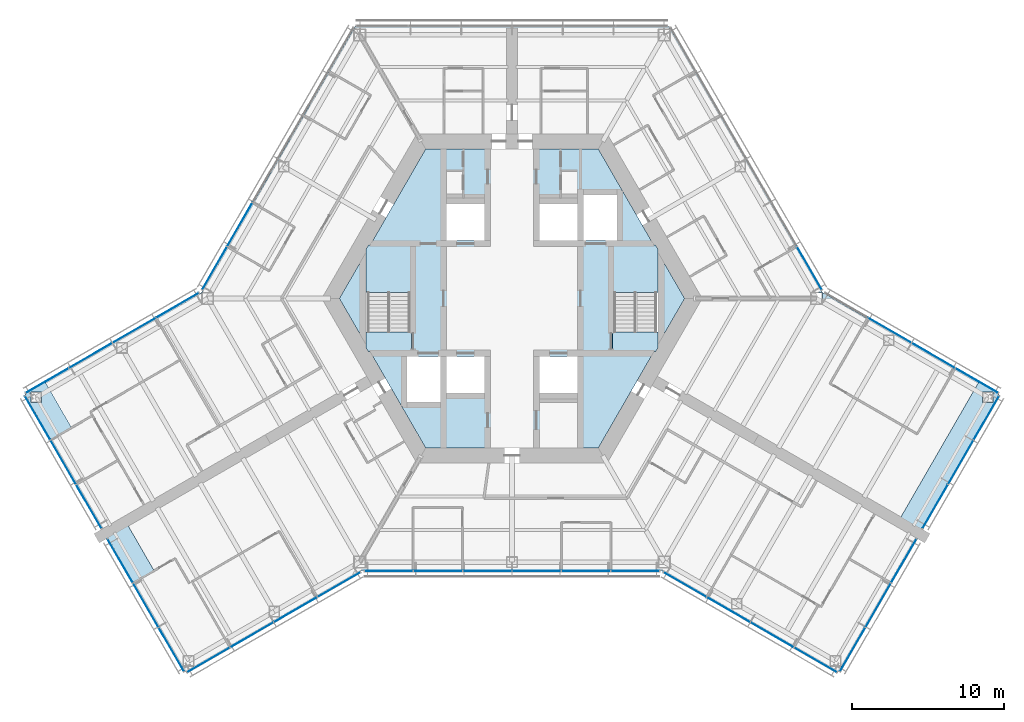
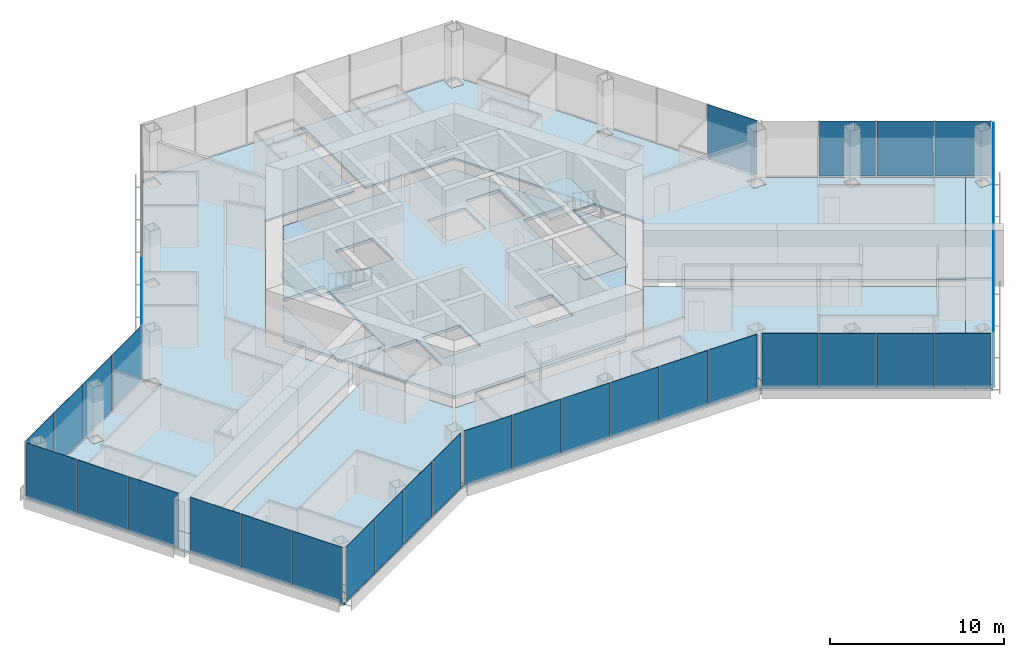
# One storey, part 10 of 19: 36 plates, 11 slabs, 13 elements without a shape of their own.
"""IFC4 building model written with IfcOpenShell, lengths in metres."""

from ifc_helpers import new_model, si_unit, direction, frame, origin, origin_2d, place, context, subcontext, project, spatial, polyline, rectangle, outline, extrude, material, layer, layer_set, type_object, element, aggregate, save


model = new_model("IFC4")

# Units and contexts
model_context = context("Model", 3, precision=1e-05, world=origin(), true_north=direction((0.0, 1.0)))
body_context = subcontext(model_context, "Body", "Model", "MODEL_VIEW")
ifc_project = project(units=[si_unit("LENGTHUNIT", "METRE"), si_unit("AREAUNIT", "SQUARE_METRE"), si_unit("VOLUMEUNIT", "CUBIC_METRE"), si_unit("PLANEANGLEUNIT", "RADIAN"), si_unit("MASSUNIT", "GRAM", prefix="KILO")], contexts=[model_context])

# Site, building, storey
site_placement = place(None, origin())
site = spatial("IfcSite", under=ifc_project, at=site_placement, CompositionType="ELEMENT")
building_placement = place(site_placement, origin())
building = spatial("IfcBuilding", under=site, at=building_placement, Name="Kasaneha Research Tower", CompositionType="ELEMENT")
storey_placement = place(building_placement, frame((0.0, 0.0, 156.5)))
storey = spatial("IfcBuildingStorey", under=building, at=storey_placement, Name="L39", CompositionType="ELEMENT", Elevation=156.5)

# Curtain wall, plates
ifc_material_1 = material(Name="Glass and aluminium", Category="aluminium")
curtain_wall_type = type_object("IfcCurtainWallType", Name="Mid-rise office curtain wall", PredefinedType="USERDEFINED", material=ifc_material_1)
curtain_wall_1_placement = place(storey_placement, origin())
curtain_wall_1 = element("IfcCurtainWall", 1, at=curtain_wall_1_placement, inside=storey, type_object=curtain_wall_type, Name="CW-O2 L39 run 01a", ObjectType="UNITISED CURTAIN WALL", PredefinedType="USERDEFINED")
ifc_material_2 = material(Name="Laminated double glazing", Category="glass")
ifc_layer_1 = layer(ifc_material_2, 0.02587890625)
ifc_layer_set_1 = layer_set([ifc_layer_1], Name="CW-O2 glazed panel")
plate_type = type_object("IfcPlateType", Name="CW-O2 glazed panel", PredefinedType="CURTAIN_PANEL", material=ifc_layer_set_1)
plate_1_placement = place(storey_placement, frame((-8.10107421875, -17.92041015625, 0.06005859375), z_axis=(0.0, 0.0, 1.0), x_axis=(1.0, 0.0, 0.0)))
plate_1 = element("IfcPlate", 2, at=plate_1_placement, type_object=plate_type, Name="CW-O2 panel 1", PredefinedType="CURTAIN_PANEL", context=body_context, shape_type="SweptSolid", body=[
    extrude(rectangle(XDim=3.156494140625, YDim=0.02587890625, at=origin_2d()), origin(), (0.0, 0.0, 1.0), 3.840087890625),
])
plate_2_placement = place(storey_placement, frame((-4.86962890625, -17.92041015625, 0.06005859375), z_axis=(0.0, 0.0, 1.0), x_axis=(1.0, 0.0, 0.0)))
plate_2 = element("IfcPlate", 3, at=plate_2_placement, type_object=plate_type, Name="CW-O2 panel 2", PredefinedType="CURTAIN_PANEL", context=body_context, shape_type="SweptSolid", body=[
    extrude(rectangle(XDim=3.1865234375, YDim=0.02587890625, at=origin_2d()), origin(), (0.0, 0.0, 1.0), 3.840087890625),
])
plate_3_placement = place(storey_placement, frame((-1.623291015625, -17.92041015625, 0.06005859375), z_axis=(0.0, 0.0, 1.0), x_axis=(1.0, 0.0, 0.0)))
plate_3 = element("IfcPlate", 4, at=plate_3_placement, type_object=plate_type, Name="CW-O2 panel 3", PredefinedType="CURTAIN_PANEL", context=body_context, shape_type="SweptSolid", body=[
    extrude(rectangle(XDim=3.1865234375, YDim=0.02587890625, at=origin_2d()), origin(), (0.0, 0.0, 1.0), 3.840087890625),
])
plate_4_placement = place(storey_placement, frame((1.623291015625, -17.92041015625, 0.06005859375), z_axis=(0.0, 0.0, 1.0), x_axis=(1.0, 0.0, 0.0)))
plate_4 = element("IfcPlate", 5, at=plate_4_placement, type_object=plate_type, Name="CW-O2 panel 4", PredefinedType="CURTAIN_PANEL", context=body_context, shape_type="SweptSolid", body=[
    extrude(rectangle(XDim=3.1865234375, YDim=0.02587890625, at=origin_2d()), origin(), (0.0, 0.0, 1.0), 3.840087890625),
])
plate_5_placement = place(storey_placement, frame((4.86962890625, -17.92041015625, 0.06005859375), z_axis=(0.0, 0.0, 1.0), x_axis=(1.0, 0.0, 0.0)))
plate_5 = element("IfcPlate", 6, at=plate_5_placement, type_object=plate_type, Name="CW-O2 panel 5", PredefinedType="CURTAIN_PANEL", context=body_context, shape_type="SweptSolid", body=[
    extrude(rectangle(XDim=3.1865234375, YDim=0.02587890625, at=origin_2d()), origin(), (0.0, 0.0, 1.0), 3.840087890625),
])
plate_6_placement = place(storey_placement, frame((8.10107421875, -17.92041015625, 0.06005859375), z_axis=(0.0, 0.0, 1.0), x_axis=(1.0, 0.0, 0.0)))
plate_6 = element("IfcPlate", 7, at=plate_6_placement, type_object=plate_type, Name="CW-O2 panel 6", PredefinedType="CURTAIN_PANEL", context=body_context, shape_type="SweptSolid", body=[
    extrude(rectangle(XDim=3.156494140625, YDim=0.02587890625, at=origin_2d()), origin(), (0.0, 0.0, 1.0), 3.840087890625),
])
aggregate(curtain_wall_1, [plate_1, plate_2, plate_3, plate_4, plate_5, plate_6])

curtain_wall_2_placement = place(storey_placement, origin())
curtain_wall_2 = element("IfcCurtainWall", 8, at=curtain_wall_2_placement, inside=storey, type_object=curtain_wall_type, Name="CW-O2 L39 run 02a", ObjectType="UNITISED CURTAIN WALL", PredefinedType="USERDEFINED")
plate_7_placement = place(storey_placement, frame((11.3720703125, -18.805419921875, 0.06005859375), z_axis=(0.0, 0.0, 1.0), x_axis=(0.866025411464, -0.499999986699, 0.0)))
plate_7 = element("IfcPlate", 9, at=plate_7_placement, type_object=plate_type, Name="CW-O2 panel 1", PredefinedType="CURTAIN_PANEL", context=body_context, shape_type="SweptSolid", body=[
    extrude(rectangle(XDim=3.2197265625, YDim=0.02587890625, at=origin_2d()), origin(), (0.0, 0.0, 1.0), 3.840087890625),
])
plate_8_placement = place(storey_placement, frame((14.225341796875, -20.452880859375, 0.06005859375), z_axis=(0.0, 0.0, 1.0), x_axis=(0.866025411464, -0.499999986699, 0.0)))
plate_8 = element("IfcPlate", 10, at=plate_8_placement, type_object=plate_type, Name="CW-O2 panel 2", PredefinedType="CURTAIN_PANEL", context=body_context, shape_type="SweptSolid", body=[
    extrude(rectangle(XDim=3.249755859375, YDim=0.02587890625, at=origin_2d()), origin(), (0.0, 0.0, 1.0), 3.840087890625),
])
plate_9_placement = place(storey_placement, frame((17.091796875, -22.107666015625, 0.06005859375), z_axis=(0.0, 0.0, 1.0), x_axis=(0.866025411464, -0.499999986699, 0.0)))
plate_9 = element("IfcPlate", 11, at=plate_9_placement, type_object=plate_type, Name="CW-O2 panel 3", PredefinedType="CURTAIN_PANEL", context=body_context, shape_type="SweptSolid", body=[
    extrude(rectangle(XDim=3.249755859375, YDim=0.02587890625, at=origin_2d()), origin(), (0.0, 0.0, 1.0), 3.840087890625),
])
plate_10_placement = place(storey_placement, frame((19.945068359375, -23.755126953125, 0.06005859375), z_axis=(0.0, 0.0, 1.0), x_axis=(0.866025411464, -0.499999986699, 0.0)))
plate_10 = element("IfcPlate", 12, at=plate_10_placement, type_object=plate_type, Name="CW-O2 panel 4", PredefinedType="CURTAIN_PANEL", context=body_context, shape_type="SweptSolid", body=[
    extrude(rectangle(XDim=3.2197265625, YDim=0.02587890625, at=origin_2d()), origin(), (0.0, 0.0, 1.0), 3.840087890625),
])
aggregate(curtain_wall_2, [plate_7, plate_8, plate_9, plate_10])

curtain_wall_3_placement = place(storey_placement, origin())
curtain_wall_3 = element("IfcCurtainWall", 13, at=curtain_wall_3_placement, inside=storey, type_object=curtain_wall_type, Name="CW-O2 L39 run 03a", ObjectType="UNITISED CURTAIN WALL", PredefinedType="USERDEFINED")
plate_11_placement = place(storey_placement, frame((22.38134765625, -23.075439453125, 0.06005859375), z_axis=(0.0, 0.0, 1.0), x_axis=(0.500000011442, 0.866025397178, 0.0)))
plate_11 = element("IfcPlate", 14, at=plate_11_placement, type_object=plate_type, Name="CW-O2 panel 1", PredefinedType="CURTAIN_PANEL", context=body_context, shape_type="SweptSolid", body=[
    extrude(rectangle(XDim=3.293212890625, YDim=0.02587890625, at=origin_2d()), origin(), (0.0, 0.0, 1.0), 3.840087890625),
])
plate_12_placement = place(storey_placement, frame((24.0654296875, -20.158447265625, 0.06005859375), z_axis=(0.0, 0.0, 1.0), x_axis=(0.500000011442, 0.866025397178, 0.0)))
plate_12 = element("IfcPlate", 15, at=plate_12_placement, type_object=plate_type, Name="CW-O2 panel 2", PredefinedType="CURTAIN_PANEL", context=body_context, shape_type="SweptSolid", body=[
    extrude(rectangle(XDim=3.3232421875, YDim=0.02587890625, at=origin_2d()), origin(), (0.0, 0.0, 1.0), 3.840087890625),
])
plate_13_placement = place(storey_placement, frame((25.74951171875, -17.241455078125, 0.06005859375), z_axis=(0.0, 0.0, 1.0), x_axis=(0.500000011442, 0.866025397178, 0.0)))
plate_13 = element("IfcPlate", 16, at=plate_13_placement, type_object=plate_type, Name="CW-O2 panel 3", PredefinedType="CURTAIN_PANEL", context=body_context, shape_type="SweptSolid", body=[
    extrude(rectangle(XDim=3.293212890625, YDim=0.02587890625, at=origin_2d()), origin(), (0.0, 0.0, 1.0), 3.840087890625),
])
aggregate(curtain_wall_3, [plate_11, plate_12, plate_13])

curtain_wall_4_placement = place(storey_placement, origin())
curtain_wall_4 = element("IfcCurtainWall", 17, at=curtain_wall_4_placement, inside=storey, type_object=curtain_wall_type, Name="CW-O2 L39 run 04a", ObjectType="UNITISED CURTAIN WALL", PredefinedType="USERDEFINED")
plate_14_placement = place(storey_placement, frame((27.806396484375, -13.67919921875, 0.06005859375), z_axis=(0.0, 0.0, 1.0), x_axis=(0.500000011442, 0.866025397178, 0.0)))
plate_14 = element("IfcPlate", 18, at=plate_14_placement, type_object=plate_type, Name="CW-O2 panel 1", PredefinedType="CURTAIN_PANEL", context=body_context, shape_type="SweptSolid", body=[
    extrude(rectangle(XDim=3.293212890625, YDim=0.02587890625, at=origin_2d()), origin(), (0.0, 0.0, 1.0), 3.840087890625),
])
plate_15_placement = place(storey_placement, frame((29.490478515625, -10.761962890625, 0.06005859375), z_axis=(0.0, 0.0, 1.0), x_axis=(0.500000011442, 0.866025397178, 0.0)))
plate_15 = element("IfcPlate", 19, at=plate_15_placement, type_object=plate_type, Name="CW-O2 panel 2", PredefinedType="CURTAIN_PANEL", context=body_context, shape_type="SweptSolid", body=[
    extrude(rectangle(XDim=3.3232421875, YDim=0.02587890625, at=origin_2d()), origin(), (0.0, 0.0, 1.0), 3.840087890625),
])
plate_16_placement = place(storey_placement, frame((31.174560546875, -7.844970703125, 0.06005859375), z_axis=(0.0, 0.0, 1.0), x_axis=(0.500000011442, 0.866025397178, 0.0)))
plate_16 = element("IfcPlate", 20, at=plate_16_placement, type_object=plate_type, Name="CW-O2 panel 3", PredefinedType="CURTAIN_PANEL", context=body_context, shape_type="SweptSolid", body=[
    extrude(rectangle(XDim=3.293212890625, YDim=0.02587890625, at=origin_2d()), origin(), (0.0, 0.0, 1.0), 3.840087890625),
])
aggregate(curtain_wall_4, [plate_14, plate_15, plate_16])

curtain_wall_5_placement = place(storey_placement, origin())
curtain_wall_5 = element("IfcCurtainWall", 21, at=curtain_wall_5_placement, inside=storey, type_object=curtain_wall_type, Name="CW-O2 L39 run 05a", ObjectType="UNITISED CURTAIN WALL", PredefinedType="USERDEFINED")
plate_17_placement = place(storey_placement, frame((30.545166015625, -5.3955078125, 0.06005859375), z_axis=(0.0, 0.0, 1.0), x_axis=(-0.866025411464, 0.499999986699, 0.0)))
plate_17 = element("IfcPlate", 22, at=plate_17_placement, type_object=plate_type, Name="CW-O2 panel 1", PredefinedType="CURTAIN_PANEL", context=body_context, shape_type="SweptSolid", body=[
    extrude(rectangle(XDim=3.2197265625, YDim=0.02587890625, at=origin_2d()), origin(), (0.0, 0.0, 1.0), 3.840087890625),
])
plate_18_placement = place(storey_placement, frame((27.69189453125, -3.748046875, 0.06005859375), z_axis=(0.0, 0.0, 1.0), x_axis=(-0.866025411464, 0.499999986699, 0.0)))
plate_18 = element("IfcPlate", 23, at=plate_18_placement, type_object=plate_type, Name="CW-O2 panel 2", PredefinedType="CURTAIN_PANEL", context=body_context, shape_type="SweptSolid", body=[
    extrude(rectangle(XDim=3.249755859375, YDim=0.02587890625, at=origin_2d()), origin(), (0.0, 0.0, 1.0), 3.840087890625),
])
plate_19_placement = place(storey_placement, frame((24.825439453125, -2.093017578125, 0.06005859375), z_axis=(0.0, 0.0, 1.0), x_axis=(-0.866025411464, 0.499999986699, 0.0)))
plate_19 = element("IfcPlate", 24, at=plate_19_placement, type_object=plate_type, Name="CW-O2 panel 3", PredefinedType="CURTAIN_PANEL", context=body_context, shape_type="SweptSolid", body=[
    extrude(rectangle(XDim=3.249755859375, YDim=0.02587890625, at=origin_2d()), origin(), (0.0, 0.0, 1.0), 3.840087890625),
])
aggregate(curtain_wall_5, [plate_17, plate_18, plate_19])

# Curtain wall, plate
curtain_wall_6_placement = place(storey_placement, origin())
curtain_wall_6 = element("IfcCurtainWall", 25, at=curtain_wall_6_placement, inside=storey, type_object=curtain_wall_type, Name="CW-O2 L39 run 06a", ObjectType="UNITISED CURTAIN WALL", PredefinedType="USERDEFINED")
plate_20_placement = place(storey_placement, frame((19.549072265625, 1.981201171875, 0.06005859375), z_axis=(0.0, 0.0, 1.0), x_axis=(-0.499999979232, 0.866025415775, 0.0)))
plate_20 = element("IfcPlate", 26, at=plate_20_placement, type_object=plate_type, Name="CW-O2 panel 1", PredefinedType="CURTAIN_PANEL", context=body_context, shape_type="SweptSolid", body=[
    extrude(rectangle(XDim=3.240966796875, YDim=0.02587890625, at=origin_2d()), origin(), (0.0, 0.0, 1.0), 3.840087890625),
])
aggregate(curtain_wall_6, [plate_20])

# Curtain wall, plates
curtain_wall_7_placement = place(storey_placement, origin())
curtain_wall_7 = element("IfcCurtainWall", 27, at=curtain_wall_7_placement, inside=storey, type_object=curtain_wall_type, Name="CW-O2 L39 run 08a", ObjectType="UNITISED CURTAIN WALL", PredefinedType="USERDEFINED")
plate_21_placement = place(storey_placement, frame((-17.89111328125, 4.852783203125, 0.06005859375), z_axis=(0.0, 0.0, 1.0), x_axis=(-0.499999979232, -0.866025415775, 0.0)))
plate_21 = element("IfcPlate", 28, at=plate_21_placement, type_object=plate_type, Name="CW-O2 panel 5", PredefinedType="CURTAIN_PANEL", context=body_context, shape_type="SweptSolid", body=[
    extrude(rectangle(XDim=3.27099609375, YDim=0.02587890625, at=origin_2d()), origin(), (0.0, 0.0, 1.0), 3.840087890625),
])
plate_22_placement = place(storey_placement, frame((-19.549072265625, 1.981201171875, 0.06005859375), z_axis=(0.0, 0.0, 1.0), x_axis=(-0.499999979232, -0.866025415775, 0.0)))
plate_22 = element("IfcPlate", 29, at=plate_22_placement, type_object=plate_type, Name="CW-O2 panel 6", PredefinedType="CURTAIN_PANEL", context=body_context, shape_type="SweptSolid", body=[
    extrude(rectangle(XDim=3.240966796875, YDim=0.02587890625, at=origin_2d()), origin(), (0.0, 0.0, 1.0), 3.840087890625),
])
aggregate(curtain_wall_7, [plate_21, plate_22])

curtain_wall_8_placement = place(storey_placement, origin())
curtain_wall_8 = element("IfcCurtainWall", 30, at=curtain_wall_8_placement, inside=storey, type_object=curtain_wall_type, Name="CW-O2 L39 run 09a", ObjectType="UNITISED CURTAIN WALL", PredefinedType="USERDEFINED")
plate_23_placement = place(storey_placement, frame((-21.971923828125, -0.44580078125, 0.06005859375), z_axis=(0.0, 0.0, 1.0), x_axis=(-0.866025411464, -0.499999986699, 0.0)))
plate_23 = element("IfcPlate", 31, at=plate_23_placement, type_object=plate_type, Name="CW-O2 panel 1", PredefinedType="CURTAIN_PANEL", context=body_context, shape_type="SweptSolid", body=[
    extrude(rectangle(XDim=3.2197265625, YDim=0.02587890625, at=origin_2d()), origin(), (0.0, 0.0, 1.0), 3.840087890625),
])
plate_24_placement = place(storey_placement, frame((-24.825439453125, -2.093017578125, 0.06005859375), z_axis=(0.0, 0.0, 1.0), x_axis=(-0.866025411464, -0.499999986699, 0.0)))
plate_24 = element("IfcPlate", 32, at=plate_24_placement, type_object=plate_type, Name="CW-O2 panel 2", PredefinedType="CURTAIN_PANEL", context=body_context, shape_type="SweptSolid", body=[
    extrude(rectangle(XDim=3.249755859375, YDim=0.02587890625, at=origin_2d()), origin(), (0.0, 0.0, 1.0), 3.840087890625),
])
plate_25_placement = place(storey_placement, frame((-27.69189453125, -3.748046875, 0.06005859375), z_axis=(0.0, 0.0, 1.0), x_axis=(-0.866025411464, -0.499999986699, 0.0)))
plate_25 = element("IfcPlate", 33, at=plate_25_placement, type_object=plate_type, Name="CW-O2 panel 3", PredefinedType="CURTAIN_PANEL", context=body_context, shape_type="SweptSolid", body=[
    extrude(rectangle(XDim=3.249755859375, YDim=0.02587890625, at=origin_2d()), origin(), (0.0, 0.0, 1.0), 3.840087890625),
])
plate_26_placement = place(storey_placement, frame((-30.545166015625, -5.3955078125, 0.06005859375), z_axis=(0.0, 0.0, 1.0), x_axis=(-0.866025411464, -0.499999986699, 0.0)))
plate_26 = element("IfcPlate", 34, at=plate_26_placement, type_object=plate_type, Name="CW-O2 panel 4", PredefinedType="CURTAIN_PANEL", context=body_context, shape_type="SweptSolid", body=[
    extrude(rectangle(XDim=3.2197265625, YDim=0.02587890625, at=origin_2d()), origin(), (0.0, 0.0, 1.0), 3.840087890625),
])
aggregate(curtain_wall_8, [plate_23, plate_24, plate_25, plate_26])

curtain_wall_9_placement = place(storey_placement, origin())
curtain_wall_9 = element("IfcCurtainWall", 35, at=curtain_wall_9_placement, inside=storey, type_object=curtain_wall_type, Name="CW-O2 L39 run 10a", ObjectType="UNITISED CURTAIN WALL", PredefinedType="USERDEFINED")
plate_27_placement = place(storey_placement, frame((-31.174560546875, -7.844970703125, 0.06005859375), z_axis=(0.0, 0.0, 1.0), x_axis=(0.500000011442, -0.866025397178, 0.0)))
plate_27 = element("IfcPlate", 36, at=plate_27_placement, type_object=plate_type, Name="CW-O2 panel 1", PredefinedType="CURTAIN_PANEL", context=body_context, shape_type="SweptSolid", body=[
    extrude(rectangle(XDim=3.293212890625, YDim=0.02587890625, at=origin_2d()), origin(), (0.0, 0.0, 1.0), 3.840087890625),
])
plate_28_placement = place(storey_placement, frame((-29.490478515625, -10.761962890625, 0.06005859375), z_axis=(0.0, 0.0, 1.0), x_axis=(0.500000011442, -0.866025397178, 0.0)))
plate_28 = element("IfcPlate", 37, at=plate_28_placement, type_object=plate_type, Name="CW-O2 panel 2", PredefinedType="CURTAIN_PANEL", context=body_context, shape_type="SweptSolid", body=[
    extrude(rectangle(XDim=3.3232421875, YDim=0.02587890625, at=origin_2d()), origin(), (0.0, 0.0, 1.0), 3.840087890625),
])
plate_29_placement = place(storey_placement, frame((-27.806396484375, -13.67919921875, 0.06005859375), z_axis=(0.0, 0.0, 1.0), x_axis=(0.500000011442, -0.866025397178, 0.0)))
plate_29 = element("IfcPlate", 38, at=plate_29_placement, type_object=plate_type, Name="CW-O2 panel 3", PredefinedType="CURTAIN_PANEL", context=body_context, shape_type="SweptSolid", body=[
    extrude(rectangle(XDim=3.293212890625, YDim=0.02587890625, at=origin_2d()), origin(), (0.0, 0.0, 1.0), 3.840087890625),
])
aggregate(curtain_wall_9, [plate_27, plate_28, plate_29])

curtain_wall_10_placement = place(storey_placement, origin())
curtain_wall_10 = element("IfcCurtainWall", 39, at=curtain_wall_10_placement, inside=storey, type_object=curtain_wall_type, Name="CW-O2 L39 run 11a", ObjectType="UNITISED CURTAIN WALL", PredefinedType="USERDEFINED")
plate_30_placement = place(storey_placement, frame((-25.74951171875, -17.241455078125, 0.06005859375), z_axis=(0.0, 0.0, 1.0), x_axis=(0.500000011442, -0.866025397178, 0.0)))
plate_30 = element("IfcPlate", 40, at=plate_30_placement, type_object=plate_type, Name="CW-O2 panel 1", PredefinedType="CURTAIN_PANEL", context=body_context, shape_type="SweptSolid", body=[
    extrude(rectangle(XDim=3.293212890625, YDim=0.02587890625, at=origin_2d()), origin(), (0.0, 0.0, 1.0), 3.840087890625),
])
plate_31_placement = place(storey_placement, frame((-24.0654296875, -20.158447265625, 0.06005859375), z_axis=(0.0, 0.0, 1.0), x_axis=(0.500000011442, -0.866025397178, 0.0)))
plate_31 = element("IfcPlate", 41, at=plate_31_placement, type_object=plate_type, Name="CW-O2 panel 2", PredefinedType="CURTAIN_PANEL", context=body_context, shape_type="SweptSolid", body=[
    extrude(rectangle(XDim=3.3232421875, YDim=0.02587890625, at=origin_2d()), origin(), (0.0, 0.0, 1.0), 3.840087890625),
])
plate_32_placement = place(storey_placement, frame((-22.38134765625, -23.075439453125, 0.06005859375), z_axis=(0.0, 0.0, 1.0), x_axis=(0.500000011442, -0.866025397178, 0.0)))
plate_32 = element("IfcPlate", 42, at=plate_32_placement, type_object=plate_type, Name="CW-O2 panel 3", PredefinedType="CURTAIN_PANEL", context=body_context, shape_type="SweptSolid", body=[
    extrude(rectangle(XDim=3.293212890625, YDim=0.02587890625, at=origin_2d()), origin(), (0.0, 0.0, 1.0), 3.840087890625),
])
aggregate(curtain_wall_10, [plate_30, plate_31, plate_32])

curtain_wall_11_placement = place(storey_placement, origin())
curtain_wall_11 = element("IfcCurtainWall", 43, at=curtain_wall_11_placement, inside=storey, type_object=curtain_wall_type, Name="CW-O2 L39 run 12a", ObjectType="UNITISED CURTAIN WALL", PredefinedType="USERDEFINED")
plate_33_placement = place(storey_placement, frame((-19.945068359375, -23.755126953125, 0.06005859375), z_axis=(0.0, 0.0, 1.0), x_axis=(0.866025411464, 0.499999986699, 0.0)))
plate_33 = element("IfcPlate", 44, at=plate_33_placement, type_object=plate_type, Name="CW-O2 panel 1", PredefinedType="CURTAIN_PANEL", context=body_context, shape_type="SweptSolid", body=[
    extrude(rectangle(XDim=3.2197265625, YDim=0.02587890625, at=origin_2d()), origin(), (0.0, 0.0, 1.0), 3.840087890625),
])
plate_34_placement = place(storey_placement, frame((-17.091796875, -22.107666015625, 0.06005859375), z_axis=(0.0, 0.0, 1.0), x_axis=(0.866025411464, 0.499999986699, 0.0)))
plate_34 = element("IfcPlate", 45, at=plate_34_placement, type_object=plate_type, Name="CW-O2 panel 2", PredefinedType="CURTAIN_PANEL", context=body_context, shape_type="SweptSolid", body=[
    extrude(rectangle(XDim=3.249755859375, YDim=0.02587890625, at=origin_2d()), origin(), (0.0, 0.0, 1.0), 3.840087890625),
])
plate_35_placement = place(storey_placement, frame((-14.225341796875, -20.452880859375, 0.06005859375), z_axis=(0.0, 0.0, 1.0), x_axis=(0.866025411464, 0.499999986699, 0.0)))
plate_35 = element("IfcPlate", 46, at=plate_35_placement, type_object=plate_type, Name="CW-O2 panel 3", PredefinedType="CURTAIN_PANEL", context=body_context, shape_type="SweptSolid", body=[
    extrude(rectangle(XDim=3.249755859375, YDim=0.02587890625, at=origin_2d()), origin(), (0.0, 0.0, 1.0), 3.840087890625),
])
plate_36_placement = place(storey_placement, frame((-11.3720703125, -18.805419921875, 0.06005859375), z_axis=(0.0, 0.0, 1.0), x_axis=(0.866025411464, 0.499999986699, 0.0)))
plate_36 = element("IfcPlate", 47, at=plate_36_placement, type_object=plate_type, Name="CW-O2 panel 4", PredefinedType="CURTAIN_PANEL", context=body_context, shape_type="SweptSolid", body=[
    extrude(rectangle(XDim=3.2197265625, YDim=0.02587890625, at=origin_2d()), origin(), (0.0, 0.0, 1.0), 3.840087890625),
])
aggregate(curtain_wall_11, [plate_33, plate_34, plate_35, plate_36])

# Slabs
ifc_material_3 = material(Name="Concrete Fc24", Category="concrete")
ifc_layer_2 = layer(ifc_material_3, 0.199951171875)
ifc_layer_set_2 = layer_set([ifc_layer_2], Name="Core floor slab 200")
slab_type_1 = type_object("IfcSlabType", Name="Core floor slab 200", PredefinedType="FLOOR", material=ifc_layer_set_2)
slab_1_placement = place(storey_placement, frame((0.0, 0.0, -0.199951171875)))
element("IfcSlab", 48, at=slab_1_placement, inside=storey, type_object=slab_type_1, Name="Core slab L39", PredefinedType="FLOOR", context=body_context, shape_type="SweptSolid", body=[
    extrude(outline(polyline([(-11.344970703125, 0.0), (-9.60009765625, 3.022216796875), (-9.60009765625, -3.022216796875), (-11.344970703125, 0.0)])), origin(), (0.0, 0.0, 1.0), 0.199951171875),
])
slab_2_placement = place(storey_placement, frame((0.0, 0.0, -0.199951171875)))
element("IfcSlab", 49, at=slab_2_placement, inside=storey, type_object=slab_type_1, Name="Core slab L39", PredefinedType="FLOOR", context=body_context, shape_type="SweptSolid", body=[
    extrude(outline(polyline([(-5.67236328125, 9.824951171875), (5.67236328125, 9.824951171875), (9.32421875, 3.5), (6.60009765625, 3.5), (6.60009765625, -3.5), (9.32421875, -3.5), (5.67236328125, -9.824951171875), (-5.67236328125, -9.824951171875), (-9.32421875, -3.5), (-6.60009765625, -3.5), (-6.60009765625, 3.5), (-9.32421875, 3.5), (-5.67236328125, 9.824951171875)]), holes=[polyline([(-6.89990234375, -3.800048828125), (-6.89990234375, -6.800048828125), (-4.699951171875, -6.800048828125), (-4.699951171875, -3.800048828125), (-6.89990234375, -3.800048828125)]), polyline([(-4.300048828125, -3.800048828125), (-4.300048828125, -6.199951171875), (-1.800048828125, -6.199951171875), (-1.800048828125, -3.800048828125), (-4.300048828125, -3.800048828125)]), polyline([(1.800048828125, -3.800048828125), (1.800048828125, -6.199951171875), (4.300048828125, -6.199951171875), (4.300048828125, -3.800048828125), (1.800048828125, -3.800048828125)]), polyline([(-4.300048828125, 6.199951171875), (-4.300048828125, 3.800048828125), (-1.800048828125, 3.800048828125), (-1.800048828125, 6.199951171875), (-4.300048828125, 6.199951171875)]), polyline([(1.800048828125, 6.199951171875), (1.800048828125, 3.800048828125), (4.300048828125, 3.800048828125), (4.300048828125, 6.199951171875), (1.800048828125, 6.199951171875)]), polyline([(4.699951171875, 6.800048828125), (4.699951171875, 3.800048828125), (6.89990234375, 3.800048828125), (6.89990234375, 6.800048828125), (4.699951171875, 6.800048828125)])]), origin(), (0.0, 0.0, 1.0), 0.199951171875),
])
slab_3_placement = place(storey_placement, frame((0.0, 0.0, -0.199951171875)))
element("IfcSlab", 50, at=slab_3_placement, inside=storey, type_object=slab_type_1, Name="Core slab L39", PredefinedType="FLOOR", context=body_context, shape_type="SweptSolid", body=[
    extrude(outline(polyline([(11.344970703125, 0.0), (9.60009765625, -3.022216796875), (9.60009765625, 3.022216796875), (11.344970703125, 0.0)])), origin(), (0.0, 0.0, 1.0), 0.199951171875),
])
ifc_material_4 = material(Name="Concrete Fc24", Category="concrete")
ifc_layer_3 = layer(ifc_material_4, 0.14990234375)
ifc_layer_set_3 = layer_set([ifc_layer_3], Name="Floor slab 150")
slab_type_2 = type_object("IfcSlabType", Name="Floor slab 150", PredefinedType="FLOOR", material=ifc_layer_set_3)
slab_4_placement = place(storey_placement, frame((0.0, 0.0, -0.14990234375)))
element("IfcSlab", 51, at=slab_4_placement, inside=storey, type_object=slab_type_2, Name="Floor slab L39 1", PredefinedType="FLOOR", context=body_context, shape_type="SweptSolid", body=[
    extrude(outline(polyline([(-32.009521484375, -6.298583984375), (-30.65869140625, -5.518798828125), (-25.55859375, -14.35205078125), (-25.5673828125, -14.357177734375), (-25.21728515625, -14.96337890625), (-25.208740234375, -14.958251953125), (-20.108642578125, -23.791748046875), (-21.459716796875, -24.57177734375), (-32.009521484375, -6.298583984375)]), holes=[polyline([(-20.908447265625, -24.17041015625), (-20.908447265625, -23.470458984375), (-21.6083984375, -23.470458984375), (-21.6083984375, -24.17041015625), (-20.908447265625, -24.17041015625)]), polyline([(-30.908447265625, -6.85009765625), (-30.908447265625, -6.14990234375), (-31.6083984375, -6.14990234375), (-31.6083984375, -6.85009765625), (-30.908447265625, -6.85009765625)])]), origin(), (0.0, 0.0, 1.0), 0.14990234375),
])
slab_5_placement = place(storey_placement, frame((0.0, 0.0, -0.14990234375)))
element("IfcSlab", 52, at=slab_5_placement, inside=storey, type_object=slab_type_2, Name="Floor slab L39 2", PredefinedType="FLOOR", context=body_context, shape_type="SweptSolid", body=[
    extrude(outline(polyline([(9.8525390625, -17.87060546875), (-9.8525390625, -17.87060546875), (-20.108642578125, -23.791748046875), (-25.208740234375, -14.958251953125), (-9.19970703125, -5.715576171875), (-6.249755859375, -10.824951171875), (6.249755859375, -10.824951171875), (9.19970703125, -5.715576171875), (25.208740234375, -14.958251953125), (20.108642578125, -23.791748046875), (9.8525390625, -17.87060546875)]), holes=[polyline([(-15.279052734375, -20.92041015625), (-15.279052734375, -20.220458984375), (-15.979248046875, -20.220458984375), (-15.979248046875, -20.92041015625), (-15.279052734375, -20.92041015625)]), polyline([(0.35009765625, -17.67041015625), (0.35009765625, -16.970458984375), (-0.35009765625, -16.970458984375), (-0.35009765625, -17.67041015625), (0.35009765625, -17.67041015625)]), polyline([(-10.39990234375, -17.720458984375), (-9.60009765625, -17.720458984375), (-9.60009765625, -16.92041015625), (-10.39990234375, -16.92041015625), (-10.39990234375, -17.720458984375)]), polyline([(15.113037109375, -20.42041015625), (15.113037109375, -19.720458984375), (14.4130859375, -19.720458984375), (14.4130859375, -20.42041015625), (15.113037109375, -20.42041015625)]), polyline([(9.60009765625, -17.720458984375), (10.39990234375, -17.720458984375), (10.39990234375, -16.92041015625), (9.60009765625, -16.92041015625), (9.60009765625, -17.720458984375)])]), origin(), (0.0, 0.0, 1.0), 0.14990234375),
])
slab_6_placement = place(storey_placement, frame((0.0, 0.0, -0.14990234375)))
element("IfcSlab", 53, at=slab_6_placement, inside=storey, type_object=slab_type_2, Name="Floor slab L39 3", PredefinedType="FLOOR", context=body_context, shape_type="SweptSolid", body=[
    extrude(outline(polyline([(-20.400146484375, -0.400146484375), (-19.599853515625, -0.400146484375), (-19.599853515625, 0.400146484375), (-20.385986328125, 0.400146484375), (-20.3974609375, 0.41162109375), (-10.40771484375, 17.714111328125), (-10.400146484375, 17.70654296875), (-10.400146484375, 16.92041015625), (-9.599853515625, 16.92041015625), (-9.599853515625, 17.720703125), (-10.385986328125, 17.720703125), (-10.3974609375, 17.732177734375), (-10.317626953125, 17.87060546875), (10.317626953125, 17.87060546875), (10.3974609375, 17.732177734375), (10.385986328125, 17.720703125), (9.599853515625, 17.720703125), (9.599853515625, 16.92041015625), (10.400146484375, 16.92041015625), (10.400146484375, 17.70654296875), (10.40771484375, 17.714111328125), (20.3974609375, 0.41162109375), (20.385986328125, 0.400146484375), (19.599853515625, 0.400146484375), (19.599853515625, -0.400146484375), (20.400146484375, -0.400146484375), (20.400146484375, 0.385986328125), (20.41162109375, 0.3974609375), (30.65869140625, -5.518798828125), (25.55859375, -14.35205078125), (9.5498046875, -5.109375), (12.49951171875, 0.0), (6.249755859375, 10.824951171875), (0.35009765625, 10.824951171875), (0.35009765625, 17.7705078125), (-0.35009765625, 17.7705078125), (-0.35009765625, 10.824951171875), (-6.249755859375, 10.824951171875), (-12.49951171875, 0.0), (-9.5498046875, -5.109375), (-25.55859375, -14.35205078125), (-30.65869140625, -5.518798828125), (-20.41162109375, 0.3974609375), (-20.400146484375, 0.385986328125), (-20.400146484375, -0.400146484375)]), holes=[polyline([(-25.279052734375, -3.60009765625), (-25.279052734375, -2.89990234375), (-25.979248046875, -2.89990234375), (-25.979248046875, -3.60009765625), (-25.279052734375, -3.60009765625)]), polyline([(-15.35009765625, 8.310302734375), (-14.64990234375, 8.310302734375), (-14.64990234375, 9.01025390625), (-15.35009765625, 9.01025390625), (-15.35009765625, 8.310302734375)]), polyline([(24.4130859375, -3.10009765625), (25.113037109375, -3.10009765625), (25.113037109375, -2.39990234375), (24.4130859375, -2.39990234375), (24.4130859375, -3.10009765625)]), polyline([(14.64990234375, 8.310302734375), (15.35009765625, 8.310302734375), (15.35009765625, 9.01025390625), (14.64990234375, 9.01025390625), (14.64990234375, 8.310302734375)])]), origin(), (0.0, 0.0, 1.0), 0.14990234375),
])
slab_7_placement = place(storey_placement, frame((0.0, 0.0, -0.14990234375)))
element("IfcSlab", 54, at=slab_7_placement, inside=storey, type_object=slab_type_2, Name="Floor slab L39 4", PredefinedType="FLOOR", context=body_context, shape_type="SweptSolid", body=[
    extrude(outline(polyline([(32.009521484375, -6.298583984375), (21.459716796875, -24.57177734375), (20.108642578125, -23.791748046875), (25.208740234375, -14.958251953125), (25.21728515625, -14.96337890625), (25.5673828125, -14.357177734375), (25.55859375, -14.35205078125), (30.65869140625, -5.518798828125), (32.009521484375, -6.298583984375)]), holes=[polyline([(21.6083984375, -24.17041015625), (21.6083984375, -23.470458984375), (20.908447265625, -23.470458984375), (20.908447265625, -24.17041015625), (21.6083984375, -24.17041015625)]), polyline([(31.6083984375, -6.85009765625), (31.6083984375, -6.14990234375), (30.908447265625, -6.14990234375), (30.908447265625, -6.85009765625), (31.6083984375, -6.85009765625)])]), origin(), (0.0, 0.0, 1.0), 0.14990234375),
])

# Stair, slabs
ifc_material_5 = material(Name="Concrete Fc24", Category="concrete")
stair_type = type_object("IfcStairType", Name="Half-turn stair 22 risers", PredefinedType="HALF_TURN_STAIR", material=ifc_material_5)
stair_1_placement = place(storey_placement, origin())
stair_1 = element("IfcStair", 55, at=stair_1_placement, inside=storey, type_object=stair_type, Name="Stair 1 L39", PredefinedType="HALF_TURN_STAIR")
ifc_material_6 = material(Name="Concrete Fc24", Category="concrete")
ifc_layer_4 = layer(ifc_material_6, 0.199951171875)
ifc_layer_set_4 = layer_set([ifc_layer_4], Name="Stair 1 landing 200")
slab_type_3 = type_object("IfcSlabType", Name="Stair 1 landing 200", PredefinedType="LANDING", material=ifc_layer_set_4)
slab_8_placement = place(storey_placement, frame((0.0, 0.0, -0.199951171875)))
slab_8 = element("IfcSlab", 56, at=slab_8_placement, type_object=slab_type_3, Name="ST1-22R landing 1", PredefinedType="LANDING", context=body_context, shape_type="SweptSolid", body=[
    extrude(outline(polyline([(9.439697265625, -3.5), (6.60009765625, -3.5), (6.60009765625, -2.199951171875), (9.60009765625, -2.199951171875), (9.60009765625, -3.222412109375), (9.439697265625, -3.5)])), origin(), (0.0, 0.0, 1.0), 0.199951171875),
])
slab_9_placement = place(storey_placement, frame((0.0, 0.0, 1.75)))
slab_9 = element("IfcSlab", 57, at=slab_9_placement, type_object=slab_type_3, Name="ST1-22R landing 2", PredefinedType="LANDING", context=body_context, shape_type="SweptSolid", body=[
    extrude(outline(polyline([(6.60009765625, 3.5), (9.439697265625, 3.5), (9.60009765625, 3.222412109375), (9.60009765625, 0.39990234375), (6.60009765625, 0.39990234375), (6.60009765625, 3.5)])), origin(), (0.0, 0.0, 1.0), 0.199951171875),
])
aggregate(stair_1, [slab_8, slab_9])

stair_2_placement = place(storey_placement, origin())
stair_2 = element("IfcStair", 58, at=stair_2_placement, inside=storey, type_object=stair_type, Name="Stair 2 L39", PredefinedType="HALF_TURN_STAIR")
ifc_material_7 = material(Name="Concrete Fc24", Category="concrete")
ifc_layer_5 = layer(ifc_material_7, 0.199951171875)
ifc_layer_set_5 = layer_set([ifc_layer_5], Name="Stair 2 landing 200")
slab_type_4 = type_object("IfcSlabType", Name="Stair 2 landing 200", PredefinedType="LANDING", material=ifc_layer_set_5)
slab_10_placement = place(storey_placement, frame((0.0, 0.0, -0.199951171875)))
slab_10 = element("IfcSlab", 59, at=slab_10_placement, type_object=slab_type_4, Name="ST2-22R landing 1", PredefinedType="LANDING", context=body_context, shape_type="SweptSolid", body=[
    extrude(outline(polyline([(-6.60009765625, -3.5), (-9.439697265625, -3.5), (-9.60009765625, -3.222412109375), (-9.60009765625, -2.199951171875), (-6.60009765625, -2.199951171875), (-6.60009765625, -3.5)])), origin(), (0.0, 0.0, 1.0), 0.199951171875),
])
slab_11_placement = place(storey_placement, frame((0.0, 0.0, 1.75)))
slab_11 = element("IfcSlab", 60, at=slab_11_placement, type_object=slab_type_4, Name="ST2-22R landing 2", PredefinedType="LANDING", context=body_context, shape_type="SweptSolid", body=[
    extrude(outline(polyline([(-6.60009765625, 0.39990234375), (-9.60009765625, 0.39990234375), (-9.60009765625, 3.222412109375), (-9.439697265625, 3.5), (-6.60009765625, 3.5), (-6.60009765625, 0.39990234375)])), origin(), (0.0, 0.0, 1.0), 0.199951171875),
])
aggregate(stair_2, [slab_10, slab_11])

save(model, "model.ifc")
